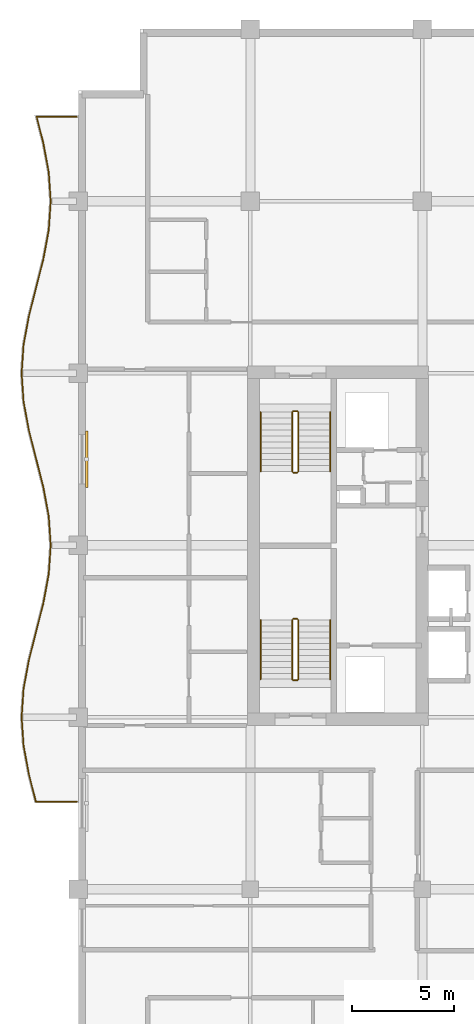
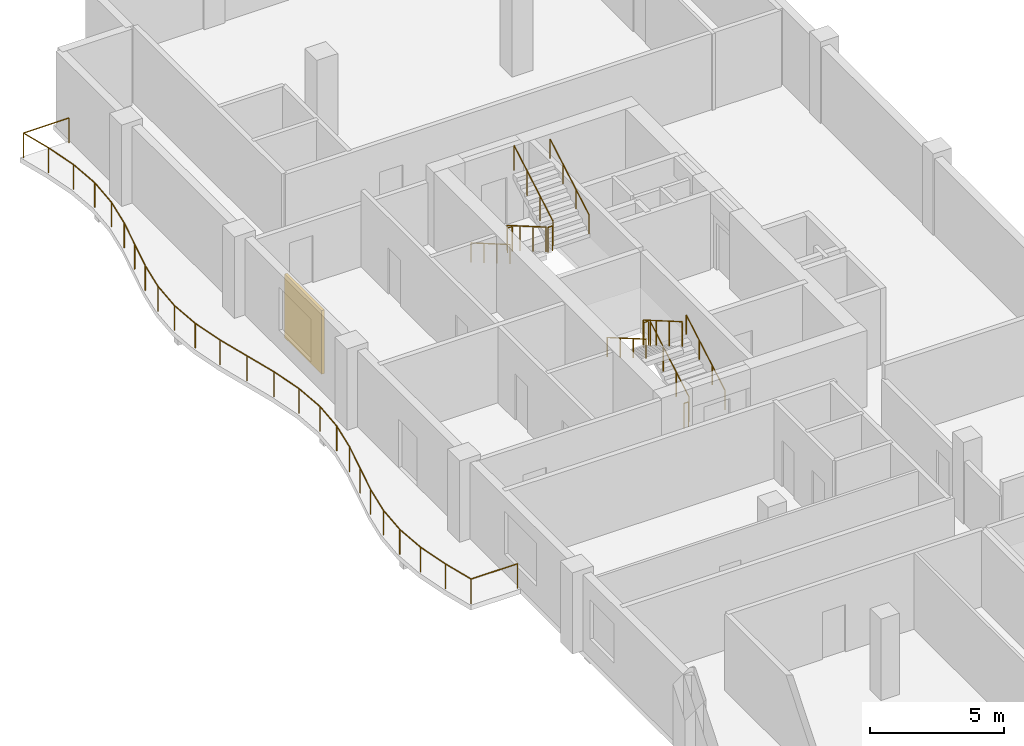
# One storey, part 15 of 16: 13 railings, 1 shading device.
"""IFC4 building model written with IfcOpenShell, lengths in metres."""

from ifc_helpers import new_model, si_unit, direction, frame, origin, origin_2d, place, context, subcontext, project, spatial, rectangle, circle, extrude, material, layer, layer_set, type_object, element, save


model = new_model("IFC4")

# Units and contexts
model_context = context("Model", 3, precision=1e-05, world=origin(), true_north=direction((0.0, 1.0)))
body_context = subcontext(model_context, "Body", "Model", "MODEL_VIEW")
ifc_project = project(units=[si_unit("LENGTHUNIT", "METRE"), si_unit("AREAUNIT", "SQUARE_METRE"), si_unit("VOLUMEUNIT", "CUBIC_METRE"), si_unit("PLANEANGLEUNIT", "RADIAN"), si_unit("MASSUNIT", "GRAM", prefix="KILO")], contexts=[model_context])

# Site, building, storey
site_placement = place(None, origin())
site = spatial("IfcSite", under=ifc_project, at=site_placement, CompositionType="ELEMENT")
building_placement = place(site_placement, origin())
building = spatial("IfcBuilding", under=site, at=building_placement, Name="Koriwani Terraces Tower", CompositionType="ELEMENT")
storey_placement = place(building_placement, frame((0.0, 0.0, 274.89990234375)))
storey = spatial("IfcBuildingStorey", under=building, at=storey_placement, Name="L68", CompositionType="ELEMENT", Elevation=274.89990234375)

# Railings
ifc_material_1 = material(Name="Steel ASTM A572 Grade 50", Category="steel")
railing_type_1 = type_object("IfcRailingType", Name="GUARD_BALUSTRADE_1150", PredefinedType="BALUSTRADE", material=ifc_material_1)
railing_1_placement = place(storey_placement, frame((8.320068359375, 37.8798828125, 0.0)))
element("IfcRailing", 1, at=railing_1_placement, inside=storey, type_object=railing_type_1, Name="L68 Balcony Perimeter Safety Balustrade (W)", PredefinedType="BALUSTRADE", context=body_context, shape_type="SweptSolid", body=[
    extrude(circle(Radius=0.02392578125, at=origin_2d()), frame((0.0, 0.0, 1.1259765625), z_axis=(-1.0, 0.0, 0.0), x_axis=(0.0, -1.0, 0.0)), (0.0, 0.0, 1.0), 1.997802734375),
    extrude(circle(Radius=0.02392578125, at=origin_2d()), frame((-1.997802734375, 0.0, 1.1259765625), z_axis=(-0.245781795918, 0.969325182173, 0.0), x_axis=(-0.969325182173, -0.245781795918, 0.0)), (0.0, 0.0, 1.0), 1.379638671875),
    extrude(circle(Radius=0.02392578125, at=origin_2d()), frame((-2.3369140625, 1.33740234375, 1.1259765625), z_axis=(-0.182508895706, 0.98320420208, 0.0), x_axis=(-0.98320420208, -0.182508895706, 0.0)), (0.0, 0.0, 1.0), 1.41650390625),
    extrude(circle(Radius=0.02392578125, at=origin_2d()), frame((-2.595458984375, 2.730224609375, 1.1259765625), z_axis=(-0.067821696155, 0.997697457915, 0.0), x_axis=(-0.997697457915, -0.067821696155, 0.0)), (0.0, 0.0, 1.0), 1.39306640625),
    extrude(circle(Radius=0.02392578125, at=origin_2d()), frame((-2.68994140625, 4.1201171875, 1.1259765625), z_axis=(0.067821696155, 0.997697457915, 0.0), x_axis=(-0.997697457915, 0.067821696155, 0.0)), (0.0, 0.0, 1.0), 1.39306640625),
    extrude(circle(Radius=0.02392578125, at=origin_2d()), frame((-2.595458984375, 5.510009765625, 1.1259765625), z_axis=(0.182508895706, 0.98320420208, 0.0), x_axis=(-0.98320420208, 0.182508895706, 0.0)), (0.0, 0.0, 1.0), 1.41650390625),
    extrude(circle(Radius=0.02392578125, at=origin_2d()), frame((-2.3369140625, 6.90283203125, 1.1259765625), z_axis=(0.245755617389, 0.969331819617, 0.0), x_axis=(-0.969331819617, 0.245755617389, 0.0)), (0.0, 0.0, 1.0), 2.888916015625),
    extrude(circle(Radius=0.02392578125, at=origin_2d()), frame((-1.626953125, 9.703125, 1.1259765625), z_axis=(0.182382502828, 0.983227655562, 0.0), x_axis=(-0.983227655562, 0.182382502828, 0.0)), (0.0, 0.0, 1.0), 1.430908203125),
    extrude(circle(Radius=0.02392578125, at=origin_2d()), frame((-1.365966796875, 11.110107421875, 1.1259765625), z_axis=(0.067722949425, 0.997704165633, 0.0), x_axis=(-0.997704165633, 0.067722949425, 0.0)), (0.0, 0.0, 1.0), 1.4130859375),
    extrude(circle(Radius=0.02392578125, at=origin_2d()), frame((-1.270263671875, 12.52001953125, 1.1259765625), z_axis=(-0.067711278299, 0.997704957786, 0.0), x_axis=(-0.997704957786, -0.067711278299, 0.0)), (0.0, 0.0, 1.0), 1.413330078125),
    extrude(circle(Radius=0.02392578125, at=origin_2d()), frame((-1.365966796875, 13.93017578125, 1.1259765625), z_axis=(-0.182382502828, 0.983227655562, 0.0), x_axis=(-0.983227655562, -0.182382502828, 0.0)), (0.0, 0.0, 1.0), 1.430908203125),
    extrude(circle(Radius=0.02392578125, at=origin_2d()), frame((-1.626953125, 15.337158203125, 1.1259765625), z_axis=(-0.245775750895, 0.969326714928, 0.0), x_axis=(-0.969326714928, -0.245775750895, 0.0)), (0.0, 0.0, 1.0), 2.888671875),
    extrude(circle(Radius=0.02392578125, at=origin_2d()), frame((-2.3369140625, 18.13720703125, 1.1259765625), z_axis=(-0.182508895706, 0.98320420208, 0.0), x_axis=(-0.98320420208, -0.182508895706, 0.0)), (0.0, 0.0, 1.0), 1.41650390625),
    extrude(circle(Radius=0.02392578125, at=origin_2d()), frame((-2.595458984375, 19.530029296875, 1.1259765625), z_axis=(-0.067809839848, 0.997698263815, 0.0), x_axis=(-0.997698263815, -0.067809839848, 0.0)), (0.0, 0.0, 1.0), 1.393310546875),
    extrude(circle(Radius=0.02392578125, at=origin_2d()), frame((-2.68994140625, 20.920166015625, 1.1259765625), z_axis=(0.067821696155, 0.997697457915, 0.0), x_axis=(-0.997697457915, 0.067821696155, 0.0)), (0.0, 0.0, 1.0), 1.39306640625),
    extrude(circle(Radius=0.02392578125, at=origin_2d()), frame((-2.595458984375, 22.31005859375, 1.1259765625), z_axis=(0.182508895706, 0.98320420208, 0.0), x_axis=(-0.98320420208, 0.182508895706, 0.0)), (0.0, 0.0, 1.0), 1.41650390625),
    extrude(circle(Radius=0.02392578125, at=origin_2d()), frame((-2.3369140625, 23.702880859375, 1.1259765625), z_axis=(0.245775750895, 0.969326714928, 0.0), x_axis=(-0.969326714928, 0.245775750895, 0.0)), (0.0, 0.0, 1.0), 2.888671875),
    extrude(circle(Radius=0.02392578125, at=origin_2d()), frame((-1.626953125, 26.5029296875, 1.1259765625), z_axis=(0.182351913416, 0.983233329212, 0.0), x_axis=(-0.983233329212, 0.182351913416, 0.0)), (0.0, 0.0, 1.0), 1.43115234375),
    extrude(circle(Radius=0.02392578125, at=origin_2d()), frame((-1.365966796875, 27.91015625, 1.1259765625), z_axis=(0.067722949425, 0.997704165633, 0.0), x_axis=(-0.997704165633, 0.067722949425, 0.0)), (0.0, 0.0, 1.0), 1.4130859375),
    extrude(circle(Radius=0.02392578125, at=origin_2d()), frame((-1.270263671875, 29.320068359375, 1.1259765625), z_axis=(-0.067711278299, 0.997704957786, 0.0), x_axis=(-0.997704957786, -0.067711278299, 0.0)), (0.0, 0.0, 1.0), 1.413330078125),
    extrude(circle(Radius=0.02392578125, at=origin_2d()), frame((-1.365966796875, 30.730224609375, 1.1259765625), z_axis=(-0.182382502828, 0.983227655562, 0.0), x_axis=(-0.983227655562, -0.182382502828, 0.0)), (0.0, 0.0, 1.0), 1.430908203125),
    extrude(circle(Radius=0.02392578125, at=origin_2d()), frame((-1.626953125, 32.13720703125, 1.1259765625), z_axis=(-0.245739459323, 0.969335916043, 0.0), x_axis=(-0.969335916043, -0.245739459323, 0.0)), (0.0, 0.0, 1.0), 1.34423828125),
    extrude(circle(Radius=0.02392578125, at=origin_2d()), frame((-1.957275390625, 33.440185546875, 1.1259765625), z_axis=(1.0, 0.0, 0.0), x_axis=(0.0, 1.0, 0.0)), (0.0, 0.0, 1.0), 1.957275390625),
    extrude(circle(Radius=0.02099609375, at=origin_2d()), origin(), (0.0, 0.0, 1.0), 1.101806640625),
    extrude(circle(Radius=0.02099609375, at=origin_2d()), frame((-1.997802734375, 0.0, 0.0)), (0.0, 0.0, 1.0), 1.101806640625),
    extrude(circle(Radius=0.02099609375, at=origin_2d()), frame((-2.3369140625, 1.33740234375, 0.0)), (0.0, 0.0, 1.0), 1.101806640625),
    extrude(circle(Radius=0.02099609375, at=origin_2d()), frame((-2.595458984375, 2.730224609375, 0.0)), (0.0, 0.0, 1.0), 1.101806640625),
    extrude(circle(Radius=0.02099609375, at=origin_2d()), frame((-2.68994140625, 4.1201171875, 0.0)), (0.0, 0.0, 1.0), 1.101806640625),
    extrude(circle(Radius=0.02099609375, at=origin_2d()), frame((-2.595458984375, 5.510009765625, 0.0)), (0.0, 0.0, 1.0), 1.101806640625),
    extrude(circle(Radius=0.02099609375, at=origin_2d()), frame((-2.3369140625, 6.90283203125, 0.0)), (0.0, 0.0, 1.0), 1.101806640625),
    extrude(circle(Radius=0.02099609375, at=origin_2d()), frame((-1.98193359375, 8.302978515625, 0.0)), (0.0, 0.0, 1.0), 1.101806640625),
    extrude(circle(Radius=0.02099609375, at=origin_2d()), frame((-1.626953125, 9.703125, 0.0)), (0.0, 0.0, 1.0), 1.101806640625),
    extrude(circle(Radius=0.02099609375, at=origin_2d()), frame((-1.365966796875, 11.110107421875, 0.0)), (0.0, 0.0, 1.0), 1.101806640625),
    extrude(circle(Radius=0.02099609375, at=origin_2d()), frame((-1.270263671875, 12.52001953125, 0.0)), (0.0, 0.0, 1.0), 1.101806640625),
    extrude(circle(Radius=0.02099609375, at=origin_2d()), frame((-1.365966796875, 13.93017578125, 0.0)), (0.0, 0.0, 1.0), 1.101806640625),
    extrude(circle(Radius=0.02099609375, at=origin_2d()), frame((-1.626953125, 15.337158203125, 0.0)), (0.0, 0.0, 1.0), 1.101806640625),
    extrude(circle(Radius=0.02099609375, at=origin_2d()), frame((-1.98193359375, 16.7373046875, 0.0)), (0.0, 0.0, 1.0), 1.101806640625),
    extrude(circle(Radius=0.02099609375, at=origin_2d()), frame((-2.3369140625, 18.13720703125, 0.0)), (0.0, 0.0, 1.0), 1.101806640625),
    extrude(circle(Radius=0.02099609375, at=origin_2d()), frame((-2.595458984375, 19.530029296875, 0.0)), (0.0, 0.0, 1.0), 1.101806640625),
    extrude(circle(Radius=0.02099609375, at=origin_2d()), frame((-2.68994140625, 20.920166015625, 0.0)), (0.0, 0.0, 1.0), 1.101806640625),
    extrude(circle(Radius=0.02099609375, at=origin_2d()), frame((-2.595458984375, 22.31005859375, 0.0)), (0.0, 0.0, 1.0), 1.101806640625),
    extrude(circle(Radius=0.02099609375, at=origin_2d()), frame((-2.3369140625, 23.702880859375, 0.0)), (0.0, 0.0, 1.0), 1.101806640625),
    extrude(circle(Radius=0.02099609375, at=origin_2d()), frame((-1.98193359375, 25.10302734375, 0.0)), (0.0, 0.0, 1.0), 1.101806640625),
    extrude(circle(Radius=0.02099609375, at=origin_2d()), frame((-1.626953125, 26.5029296875, 0.0)), (0.0, 0.0, 1.0), 1.101806640625),
    extrude(circle(Radius=0.02099609375, at=origin_2d()), frame((-1.365966796875, 27.91015625, 0.0)), (0.0, 0.0, 1.0), 1.101806640625),
    extrude(circle(Radius=0.02099609375, at=origin_2d()), frame((-1.270263671875, 29.320068359375, 0.0)), (0.0, 0.0, 1.0), 1.101806640625),
    extrude(circle(Radius=0.02099609375, at=origin_2d()), frame((-1.365966796875, 30.730224609375, 0.0)), (0.0, 0.0, 1.0), 1.101806640625),
    extrude(circle(Radius=0.02099609375, at=origin_2d()), frame((-1.626953125, 32.13720703125, 0.0)), (0.0, 0.0, 1.0), 1.101806640625),
    extrude(circle(Radius=0.02099609375, at=origin_2d()), frame((-1.957275390625, 33.440185546875, 0.0)), (0.0, 0.0, 1.0), 1.101806640625),
    extrude(circle(Radius=0.02099609375, at=origin_2d()), frame((0.0, 33.440185546875, 0.0)), (0.0, 0.0, 1.0), 1.101806640625),
])
railing_type_2 = type_object("IfcRailingType", Name="GUARD_STAIR_WELL_1120", PredefinedType="GUARDRAIL", material=ifc_material_1)
railing_2_placement = place(storey_placement, frame((19.14990234375, 43.85009765625, 0.168212890625)))
element("IfcRailing", 2, at=railing_2_placement, inside=storey, type_object=railing_type_2, Name="L68 ST-W1 stair guard 1", PredefinedType="GUARDRAIL", context=body_context, shape_type="SweptSolid", body=[
    extrude(circle(Radius=0.02392578125, at=origin_2d()), frame((0.0, 0.0, 1.1259765625), z_axis=(0.0, 0.865038774852, 0.501705010941), x_axis=(-1.0, 0.0, 0.0)), (0.0, 0.0, 1.0), 3.352294921875),
    extrude(circle(Radius=0.02099609375, at=origin_2d()), origin(), (0.0, 0.0, 1.0), 1.101806640625),
    extrude(circle(Radius=0.02099609375, at=origin_2d()), frame((0.0, 0.966552734375, 0.560546875)), (0.0, 0.0, 1.0), 1.101806640625),
    extrude(circle(Radius=0.02099609375, at=origin_2d()), frame((0.0, 1.933349609375, 1.121337890625)), (0.0, 0.0, 1.0), 1.101806640625),
    extrude(circle(Radius=0.02099609375, at=origin_2d()), frame((0.0, 2.89990234375, 1.681884765625)), (0.0, 0.0, 1.0), 1.101806640625),
])
railing_3_placement = place(storey_placement, frame((19.10009765625, 46.800048828125, 1.85009765625)))
element("IfcRailing", 3, at=railing_3_placement, inside=storey, type_object=railing_type_2, Name="L68 ST-W1 stair guard 2", PredefinedType="GUARDRAIL", context=body_context, shape_type="SweptSolid", body=[
    extrude(circle(Radius=0.02392578125, at=origin_2d()), frame((0.0, 0.0, 1.1259765625), z_axis=(-1.0, 0.0, 0.0), x_axis=(0.0, -1.0, 0.0)), (0.0, 0.0, 1.0), 0.2001953125),
    extrude(circle(Radius=0.02099609375, at=origin_2d()), origin(), (0.0, 0.0, 1.0), 1.101806640625),
    extrude(circle(Radius=0.02099609375, at=origin_2d()), frame((-0.2001953125, 0.0, 0.0)), (0.0, 0.0, 1.0), 1.101806640625),
])
railing_4_placement = place(storey_placement, frame((18.85009765625, 46.75, 2.018310546875)))
element("IfcRailing", 4, at=railing_4_placement, inside=storey, type_object=railing_type_2, Name="L68 ST-W1 stair guard 3", PredefinedType="GUARDRAIL", context=body_context, shape_type="SweptSolid", body=[
    extrude(circle(Radius=0.02392578125, at=origin_2d()), frame((0.0, 0.0, 1.1259765625), z_axis=(0.0, -0.865038774852, 0.501705010941), x_axis=(1.0, 0.0, 0.0)), (0.0, 0.0, 1.0), 3.352294921875),
    extrude(circle(Radius=0.02099609375, at=origin_2d()), origin(), (0.0, 0.0, 1.0), 1.101806640625),
    extrude(circle(Radius=0.02099609375, at=origin_2d()), frame((0.0, -0.966552734375, 0.560546875)), (0.0, 0.0, 1.0), 1.101806640625),
    extrude(circle(Radius=0.02099609375, at=origin_2d()), frame((0.0, -1.933349609375, 1.121337890625)), (0.0, 0.0, 1.0), 1.101806640625),
    extrude(circle(Radius=0.02099609375, at=origin_2d()), frame((0.0, -2.89990234375, 1.681884765625)), (0.0, 0.0, 1.0), 1.101806640625),
])
railing_5_placement = place(storey_placement, frame((19.10009765625, 43.800048828125, 0.0)))
element("IfcRailing", 5, at=railing_5_placement, inside=storey, type_object=railing_type_2, Name="L68 ST-W1 stair guard 4", PredefinedType="GUARDRAIL", context=body_context, shape_type="SweptSolid", body=[
    extrude(circle(Radius=0.02392578125, at=origin_2d()), frame((0.0, 0.0, 1.1259765625), z_axis=(-1.0, 0.0, 0.0), x_axis=(0.0, -1.0, 0.0)), (0.0, 0.0, 1.0), 0.2001953125),
    extrude(circle(Radius=0.02099609375, at=origin_2d()), origin(), (0.0, 0.0, 1.0), 1.101806640625),
    extrude(circle(Radius=0.02099609375, at=origin_2d()), frame((-0.2001953125, 0.0, 0.0)), (0.0, 0.0, 1.0), 1.101806640625),
])
railing_6_placement = place(storey_placement, frame((18.85009765625, 56.89990234375, 0.168212890625)))
element("IfcRailing", 6, at=railing_6_placement, inside=storey, type_object=railing_type_2, Name="L68 ST-W2 stair guard 1", PredefinedType="GUARDRAIL", context=body_context, shape_type="SweptSolid", body=[
    extrude(circle(Radius=0.02392578125, at=origin_2d()), frame((0.0, 0.0, 1.1259765625), z_axis=(0.0, -0.865038774852, 0.501705010941), x_axis=(1.0, 0.0, 0.0)), (0.0, 0.0, 1.0), 3.352294921875),
    extrude(circle(Radius=0.02099609375, at=origin_2d()), origin(), (0.0, 0.0, 1.0), 1.101806640625),
    extrude(circle(Radius=0.02099609375, at=origin_2d()), frame((0.0, -0.966552734375, 0.560546875)), (0.0, 0.0, 1.0), 1.101806640625),
    extrude(circle(Radius=0.02099609375, at=origin_2d()), frame((0.0, -1.933349609375, 1.121337890625)), (0.0, 0.0, 1.0), 1.101806640625),
    extrude(circle(Radius=0.02099609375, at=origin_2d()), frame((0.0, -2.89990234375, 1.681884765625)), (0.0, 0.0, 1.0), 1.101806640625),
])
railing_7_placement = place(storey_placement, frame((18.89990234375, 53.949951171875, 1.85009765625)))
element("IfcRailing", 7, at=railing_7_placement, inside=storey, type_object=railing_type_2, Name="L68 ST-W2 stair guard 2", PredefinedType="GUARDRAIL", context=body_context, shape_type="SweptSolid", body=[
    extrude(circle(Radius=0.02392578125, at=origin_2d()), frame((0.0, 0.0, 1.1259765625), z_axis=(1.0, 0.0, 0.0), x_axis=(0.0, 1.0, 0.0)), (0.0, 0.0, 1.0), 0.2001953125),
    extrude(circle(Radius=0.02099609375, at=origin_2d()), origin(), (0.0, 0.0, 1.0), 1.101806640625),
    extrude(circle(Radius=0.02099609375, at=origin_2d()), frame((0.2001953125, 0.0, 0.0)), (0.0, 0.0, 1.0), 1.101806640625),
])
railing_8_placement = place(storey_placement, frame((19.14990234375, 54.0, 2.018310546875)))
element("IfcRailing", 8, at=railing_8_placement, inside=storey, type_object=railing_type_2, Name="L68 ST-W2 stair guard 3", PredefinedType="GUARDRAIL", context=body_context, shape_type="SweptSolid", body=[
    extrude(circle(Radius=0.02392578125, at=origin_2d()), frame((0.0, 0.0, 1.1259765625), z_axis=(0.0, 0.865038774852, 0.501705010941), x_axis=(-1.0, 0.0, 0.0)), (0.0, 0.0, 1.0), 3.352294921875),
    extrude(circle(Radius=0.02099609375, at=origin_2d()), origin(), (0.0, 0.0, 1.0), 1.101806640625),
    extrude(circle(Radius=0.02099609375, at=origin_2d()), frame((0.0, 0.966552734375, 0.560546875)), (0.0, 0.0, 1.0), 1.101806640625),
    extrude(circle(Radius=0.02099609375, at=origin_2d()), frame((0.0, 1.933349609375, 1.121337890625)), (0.0, 0.0, 1.0), 1.101806640625),
    extrude(circle(Radius=0.02099609375, at=origin_2d()), frame((0.0, 2.89990234375, 1.681884765625)), (0.0, 0.0, 1.0), 1.101806640625),
])
railing_9_placement = place(storey_placement, frame((18.89990234375, 56.949951171875, 0.0)))
element("IfcRailing", 9, at=railing_9_placement, inside=storey, type_object=railing_type_2, Name="L68 ST-W2 stair guard 4", PredefinedType="GUARDRAIL", context=body_context, shape_type="SweptSolid", body=[
    extrude(circle(Radius=0.02392578125, at=origin_2d()), frame((0.0, 0.0, 1.1259765625), z_axis=(1.0, 0.0, 0.0), x_axis=(0.0, 1.0, 0.0)), (0.0, 0.0, 1.0), 0.2001953125),
    extrude(circle(Radius=0.02099609375, at=origin_2d()), origin(), (0.0, 0.0, 1.0), 1.101806640625),
    extrude(circle(Radius=0.02099609375, at=origin_2d()), frame((0.2001953125, 0.0, 0.0)), (0.0, 0.0, 1.0), 1.101806640625),
])
railing_type_3 = type_object("IfcRailingType", Name="HANDRAIL_STAIR_920", PredefinedType="HANDRAIL", material=ifc_material_1)
railing_10_placement = place(storey_placement, frame((20.699951171875, 43.85009765625, 0.168212890625)))
element("IfcRailing", 10, at=railing_10_placement, inside=storey, type_object=railing_type_3, Name="L68 ST-W1 stair handrail 1", PredefinedType="HANDRAIL", context=body_context, shape_type="SweptSolid", body=[
    extrude(circle(Radius=0.02392578125, at=origin_2d()), frame((0.0, 0.0, 0.8759765625), z_axis=(0.0, 0.865038774852, 0.501705010941), x_axis=(-1.0, 0.0, 0.0)), (0.0, 0.0, 1.0), 3.352294921875),
    extrude(circle(Radius=0.02099609375, at=origin_2d()), origin(), (0.0, 0.0, 1.0), 0.851806640625),
    extrude(circle(Radius=0.02099609375, at=origin_2d()), frame((0.0, 0.966552734375, 0.560546875)), (0.0, 0.0, 1.0), 0.851806640625),
    extrude(circle(Radius=0.02099609375, at=origin_2d()), frame((0.0, 1.933349609375, 1.121337890625)), (0.0, 0.0, 1.0), 0.851806640625),
    extrude(circle(Radius=0.02099609375, at=origin_2d()), frame((0.0, 2.89990234375, 1.681884765625)), (0.0, 0.0, 1.0), 0.851806640625),
])
for number, where, name in (
    (11, (17.300048828125, 46.75, 2.018310546875), "L68 ST-W1 stair handrail 2"),
    (12, (17.300048828125, 56.89990234375, 0.168212890625), "L68 ST-W2 stair handrail 1"),
):
    element("IfcRailing", number, at=place(storey_placement, frame(where)), inside=storey, type_object=railing_type_3, Name=name, PredefinedType="HANDRAIL", context=body_context, shape_type="SweptSolid", body=[
        extrude(circle(Radius=0.02392578125, at=origin_2d()), frame((0.0, 0.0, 0.8759765625), z_axis=(0.0, -0.865038774852, 0.501705010941), x_axis=(1.0, 0.0, 0.0)), (0.0, 0.0, 1.0), 3.352294921875),
        extrude(circle(Radius=0.02099609375, at=origin_2d()), origin(), (0.0, 0.0, 1.0), 0.851806640625),
        extrude(circle(Radius=0.02099609375, at=origin_2d()), frame((0.0, -0.966552734375, 0.560546875)), (0.0, 0.0, 1.0), 0.851806640625),
        extrude(circle(Radius=0.02099609375, at=origin_2d()), frame((0.0, -1.933349609375, 1.121337890625)), (0.0, 0.0, 1.0), 0.851806640625),
        extrude(circle(Radius=0.02099609375, at=origin_2d()), frame((0.0, -2.89990234375, 1.681884765625)), (0.0, 0.0, 1.0), 0.851806640625),
    ])
railing_11_placement = place(storey_placement, frame((20.699951171875, 54.0, 2.018310546875)))
element("IfcRailing", 13, at=railing_11_placement, inside=storey, type_object=railing_type_3, Name="L68 ST-W2 stair handrail 2", PredefinedType="HANDRAIL", context=body_context, shape_type="SweptSolid", body=[
    extrude(circle(Radius=0.02392578125, at=origin_2d()), frame((0.0, 0.0, 0.8759765625), z_axis=(0.0, 0.865038774852, 0.501705010941), x_axis=(-1.0, 0.0, 0.0)), (0.0, 0.0, 1.0), 3.352294921875),
    extrude(circle(Radius=0.02099609375, at=origin_2d()), origin(), (0.0, 0.0, 1.0), 0.851806640625),
    extrude(circle(Radius=0.02099609375, at=origin_2d()), frame((0.0, 0.966552734375, 0.560546875)), (0.0, 0.0, 1.0), 0.851806640625),
    extrude(circle(Radius=0.02099609375, at=origin_2d()), frame((0.0, 1.933349609375, 1.121337890625)), (0.0, 0.0, 1.0), 0.851806640625),
    extrude(circle(Radius=0.02099609375, at=origin_2d()), frame((0.0, 2.89990234375, 1.681884765625)), (0.0, 0.0, 1.0), 0.851806640625),
])

# Shading device
ifc_material_2 = material(Name="Extruded Terracotta Clay", Category="masonry")
ifc_layer = layer(ifc_material_2, 0.1201171875, Name="Extruded Terracotta Clay")
ifc_layer_set = layer_set([ifc_layer], Name="Extruded Terracotta Clay")
shading_device_type = type_object("IfcShadingDeviceType", Name="TERRACOTTA_BAGUETTE_SCREEN_2800", PredefinedType="USERDEFINED", material=ifc_layer_set)
shading_device_placement = place(storey_placement, frame((8.804931640625, 54.60009765625, 0.28515625), z_axis=(0.0, 0.0, 1.0), x_axis=(0.0, 1.0, 0.0)))
element("IfcShadingDevice", 14, at=shading_device_placement, inside=storey, type_object=shading_device_type, Name="L68 Extruded Terracotta Baguette Screen (W-15)", ObjectType="BAGUETTE", PredefinedType="USERDEFINED", context=body_context, shape_type="SweptSolid", body=[
    extrude(rectangle(XDim=2.760009765625, YDim=0.1201171875, at=origin_2d()), origin(), (0.0, 0.0, 1.0), 2.89990234375),
])

save(model, "model.ifc")
